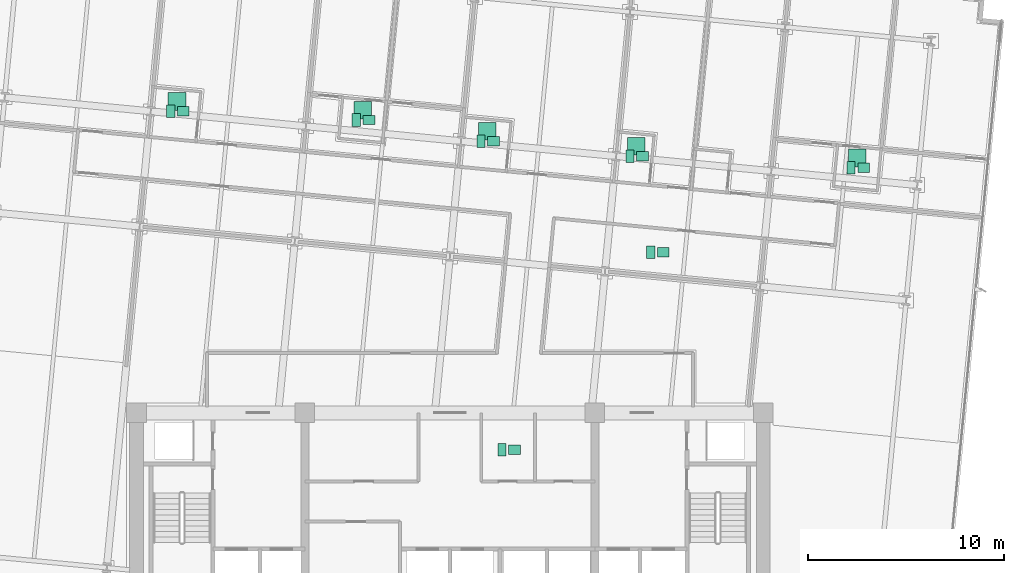
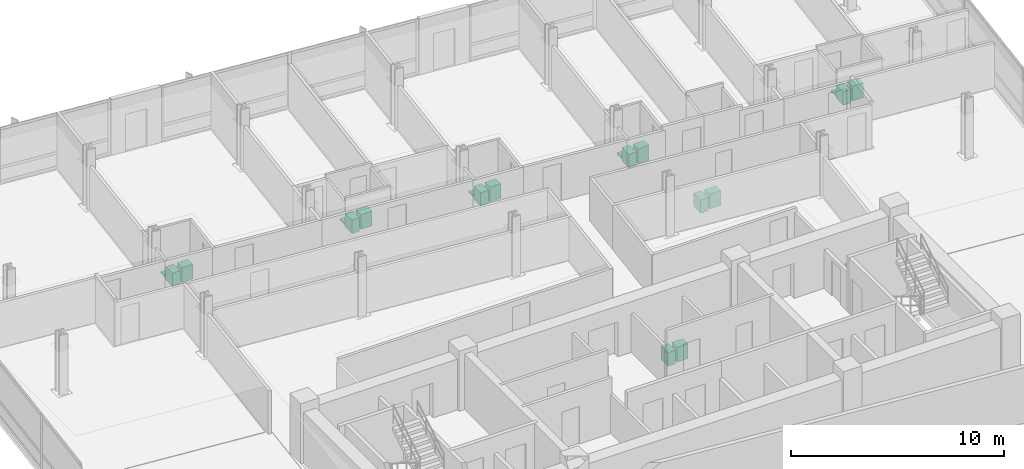
# One storey, part 17 of 17: 19 sanitary terminals.
"""IFC4 building model written with IfcOpenShell, lengths in metres."""

from ifc_helpers import new_model, si_unit, direction, frame, origin, origin_2d, place, context, subcontext, project, spatial, rectangle, extrude, material, type_object, element, save


model = new_model("IFC4")

# Units and contexts
model_context = context("Model", 3, precision=1e-05, world=origin(), true_north=direction((0.0, 1.0)))
body_context = subcontext(model_context, "Body", "Model", "MODEL_VIEW")
ifc_project = project(units=[si_unit("LENGTHUNIT", "METRE"), si_unit("AREAUNIT", "SQUARE_METRE"), si_unit("VOLUMEUNIT", "CUBIC_METRE"), si_unit("PLANEANGLEUNIT", "RADIAN"), si_unit("MASSUNIT", "GRAM", prefix="KILO")], contexts=[model_context])

# Site, building, storey
site_placement = place(None, origin())
site = spatial("IfcSite", under=ifc_project, at=site_placement, CompositionType="ELEMENT")
building_placement = place(site_placement, origin())
building = spatial("IfcBuilding", under=site, at=building_placement, Name="Solmavex Isthmus Hotel", CompositionType="ELEMENT")
storey_placement = place(building_placement, frame((0.0, 0.0, 139.35009765625)))
storey = spatial("IfcBuildingStorey", under=building, at=storey_placement, Name="L37", CompositionType="ELEMENT", Elevation=139.35009765625)

# Sanitary terminals
ifc_material = material(Name="Vitreous china ceramic", Category="ceramic")
sanitary_terminal_type_1 = type_object("IfcSanitaryTerminalType", Name="SAN-BASIN", PredefinedType="WASHHANDBASIN", material=ifc_material)
for number, where, z_axis, x_axis, name in (
    (1, (3.294921875, -4.385009765625, -0.000244140625), (0.0, 0.0, 1.0), (1.0, 0.0, 0.0), "Vanity Washbasin L37-173"),
    (2, (-13.608154296875, 12.896240234375, -0.000244140625), (0.0, 0.0, 1.0), (1.0, 0.0, 0.0), "Vanity Washbasin L37-174"),
    (3, (-4.135009765625, 12.45361328125, -0.000244140625), (0.0, 0.0, 1.0), (1.0, 0.0, 0.0), "Vanity Washbasin L37-175"),
    (4, (2.23046875, 11.37109375, -0.000244140625), (0.0, 0.0, 1.0), (1.0, 0.0, 0.0), "Vanity Washbasin L37-176"),
    (5, (9.83837890625, 10.608642578125, -0.000244140625), (0.0, 0.0, 1.0), (1.0, 0.0, 0.0), "Vanity Washbasin L37-177"),
    (6, (21.121337890625, 10.011474609375, -0.000244140625), (0.0, 0.0, 1.0), (1.0, 0.0, 0.0), "Vanity Washbasin L37-178"),
    (7, (10.895263671875, 5.702880859375, -0.000244140625), (0.0, 0.0, 1.0), (1.0, 0.0, 0.0), "Vanity Washbasin L37-179"),
):
    element("IfcSanitaryTerminal", number, at=place(storey_placement, frame(where, z_axis=z_axis, x_axis=x_axis)), inside=storey, type_object=sanitary_terminal_type_1, Name=name, PredefinedType="WASHHANDBASIN", context=body_context, shape_type="SweptSolid", body=[
        extrude(rectangle(XDim=0.60009765625, YDim=0.47998046875, at=origin_2d()), origin(), (0.0, 0.0, 1.0), 0.85009765625),
    ])
sanitary_terminal_type_2 = type_object("IfcSanitaryTerminalType", Name="SAN-SHOWER", PredefinedType="SHOWER", material=ifc_material)
for number, where, z_axis, x_axis, name in (
    (8, (-13.92822265625, 13.396240234375, -0.000244140625), (0.0, 0.0, 1.0), (1.0, 0.0, 0.0), "Walk-In Shower L37-174"),
    (9, (-4.454833984375, 12.95361328125, -0.000244140625), (0.0, 0.0, 1.0), (1.0, 0.0, 0.0), "Walk-In Shower L37-175"),
    (10, (1.910400390625, 11.87109375, -0.000244140625), (0.0, 0.0, 1.0), (1.0, 0.0, 0.0), "Walk-In Shower L37-176"),
    (11, (9.518310546875, 11.108642578125, -0.000244140625), (0.0, 0.0, 1.0), (1.0, 0.0, 0.0), "Walk-In Shower L37-177"),
    (12, (20.801513671875, 10.511474609375, -0.000244140625), (0.0, 0.0, 1.0), (1.0, 0.0, 0.0), "Walk-In Shower L37-178"),
):
    element("IfcSanitaryTerminal", number, at=place(storey_placement, frame(where, z_axis=z_axis, x_axis=x_axis)), inside=storey, type_object=sanitary_terminal_type_2, Name=name, PredefinedType="SHOWER", context=body_context, shape_type="SweptSolid", body=[
        extrude(rectangle(XDim=0.89990234375, YDim=0.89990234375, at=origin_2d()), origin(), (0.0, 0.0, 1.0), 0.080078125),
    ])
sanitary_terminal_type_3 = type_object("IfcSanitaryTerminalType", Name="SAN-WC-SUITE", PredefinedType="TOILETPAN", material=ifc_material)
for number, where, z_axis, x_axis, name in (
    (13, (2.655029296875, -4.385009765625, 0.0), (0.0, 0.0, 1.0), (1.0, 0.0, 0.0), "Water Closet L37-173"),
    (14, (-14.248291015625, 12.896240234375, 0.0), (0.0, 0.0, 1.0), (1.0, 0.0, 0.0), "Water Closet L37-174"),
    (15, (-4.77490234375, 12.45361328125, 0.0), (0.0, 0.0, 1.0), (1.0, 0.0, 0.0), "Water Closet L37-175"),
    (16, (1.590576171875, 11.37109375, 0.0), (0.0, 0.0, 1.0), (1.0, 0.0, 0.0), "Water Closet L37-176"),
    (17, (9.198486328125, 10.608642578125, 0.0), (0.0, 0.0, 1.0), (1.0, 0.0, 0.0), "Water Closet L37-177"),
    (18, (20.4814453125, 10.011474609375, 0.0), (0.0, 0.0, 1.0), (1.0, 0.0, 0.0), "Water Closet L37-178"),
    (19, (10.25537109375, 5.702880859375, 0.0), (0.0, 0.0, 1.0), (1.0, 0.0, 0.0), "Water Closet L37-179"),
):
    element("IfcSanitaryTerminal", number, at=place(storey_placement, frame(where, z_axis=z_axis, x_axis=x_axis)), inside=storey, type_object=sanitary_terminal_type_3, Name=name, PredefinedType="TOILETPAN", context=body_context, shape_type="SweptSolid", body=[
        extrude(rectangle(XDim=0.419921875, YDim=0.64990234375, at=origin_2d()), origin(), (0.0, 0.0, 1.0), 0.780029296875),
    ])

save(model, "model.ifc")
